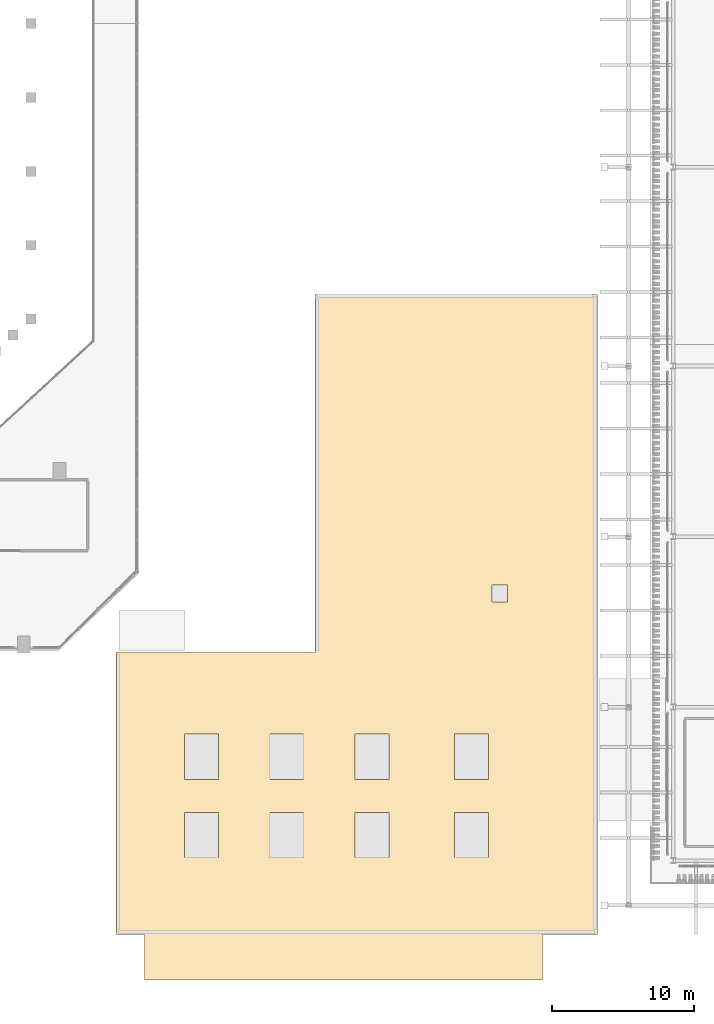
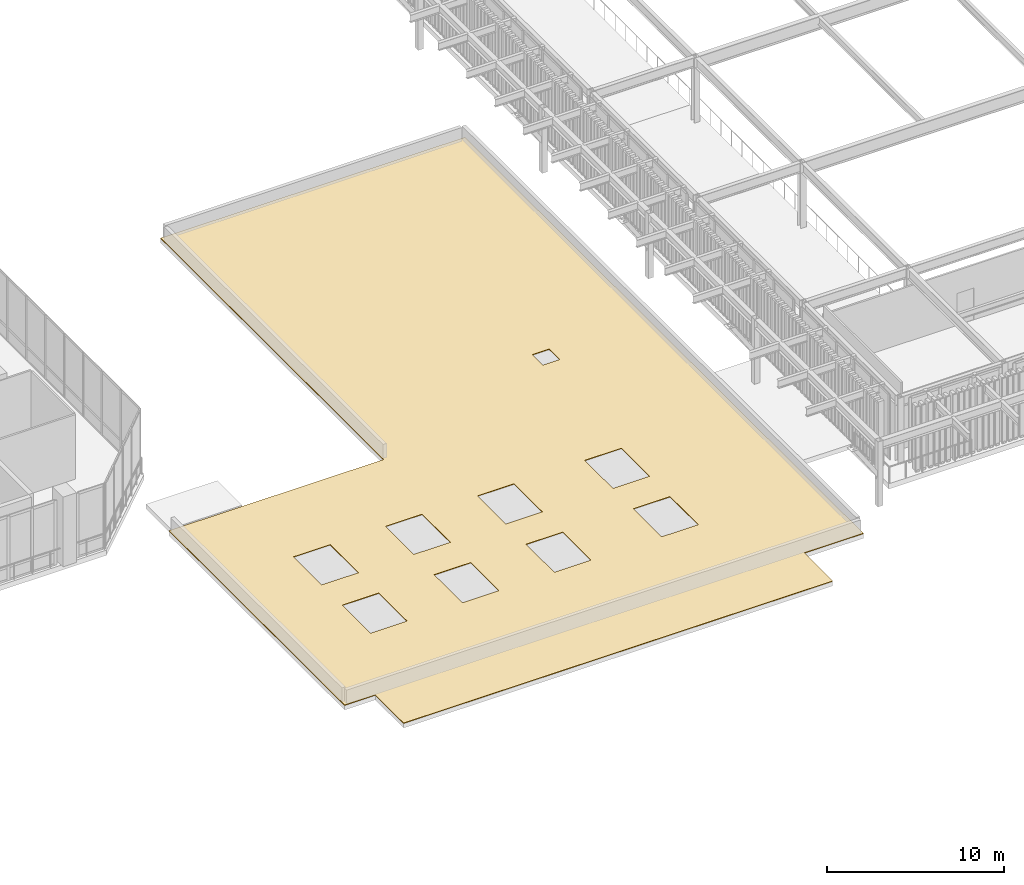
# One storey, part 113 of 126: 1 covering, 1 element without a shape of its own.
"""IFC4 building model written with IfcOpenShell, lengths in metres."""

import ifcopenshell
import ifcopenshell.guid

model = None  # the IFC model being written
_history = None  # IfcOwnerHistory: only IFC2X3 demands one
_inside = {}  # id of a spatial element -> (the spatial element, [elements in it])
_under = {}  # id of a project, library or spatial element -> (it, [spatial elements below it])
_declared = {}  # id of a project -> (the project, [libraries it declares])
_typed = {}  # id of a type object -> (the type object, [elements of that type])
_made_of = {}  # id of a material, layer set ... -> (it, [elements and type objects made of it])


def new_model(schema):
    """Start an empty IFC model of exactly this schema.

    Asked for "IFC4X3", IfcOpenShell would pick the latest addendum, in which some entities
    have other attributes; the version numbers below select the first issue.
    IFC2X3 requires an IfcOwnerHistory on every rooted entity: one is made here for all.
    """
    global model, _history
    if schema == "IFC4X3":
        model = ifcopenshell.file(schema_version=(4, 3, 0, 0))
    else:
        model = ifcopenshell.file(schema=schema)
    _inside.clear()
    _under.clear()
    _declared.clear()
    _typed.clear()
    _made_of.clear()
    _history = None
    if model.schema == "IFC2X3":
        org = make("IfcOrganization", Name="unknown")
        user = make(
            "IfcPersonAndOrganization",
            ThePerson=make("IfcPerson", FamilyName="unknown"),
            TheOrganization=org,
        )
        app = make(
            "IfcApplication",
            ApplicationDeveloper=org,
            Version="unknown",
            ApplicationFullName="unknown",
            ApplicationIdentifier="unknown",
        )
        _history = make(
            "IfcOwnerHistory",
            OwningUser=user,
            OwningApplication=app,
            ChangeAction="ADDED",
            CreationDate=0,
        )
    return model


def make(cls, **values):
    """One entity of the class cls with the attributes given. An attribute that is None is left unset."""
    return model.create_entity(
        cls, **{name: value for name, value in values.items() if value is not None}
    )


def rooted(cls, **values):
    """An entity with a GlobalId (a new one), such as an element, a storey or a relation."""
    return make(cls, GlobalId=ifcopenshell.guid.new(), OwnerHistory=_history, **values)


def si_unit(unit_type, name, prefix=None):
    """IfcSIUnit, for example si_unit("LENGTHUNIT", "METRE", prefix="MILLI")."""
    return make("IfcSIUnit", UnitType=unit_type, Prefix=prefix, Name=name)


def derived_unit(unit_type, elements):
    """IfcDerivedUnit: a product of units, each with its exponent."""
    return make(
        "IfcDerivedUnit",
        Elements=[
            make("IfcDerivedUnitElement", Unit=unit, Exponent=power)
            for unit, power in elements
        ],
        UnitType=unit_type,
    )


def assignment(units):
    """IfcUnitAssignment: the units of a project."""
    return None if units is None else make("IfcUnitAssignment", Units=units)


def point(xyz):
    """IfcCartesianPoint."""
    return None if xyz is None else make("IfcCartesianPoint", Coordinates=xyz)


def direction(xyz):
    """IfcDirection."""
    return None if xyz is None else make("IfcDirection", DirectionRatios=xyz)


def frame(location, z_axis=None, x_axis=None):
    """IfcAxis2Placement3D, a coordinate frame: its origin and axes. An axis left out is left unset."""
    return make(
        "IfcAxis2Placement3D",
        Location=point(location),
        Axis=direction(z_axis),
        RefDirection=direction(x_axis),
    )


def origin():
    """The frame at (0, 0, 0) with its axes left unset."""
    return frame((0.0, 0.0, 0.0))


def place(relative_to, where):
    """IfcLocalPlacement: puts the frame where relative to a parent placement (None: the world)."""
    return make(
        "IfcLocalPlacement", PlacementRelTo=relative_to, RelativePlacement=where
    )


def context(
    kind, dimensions, precision=None, world=None, true_north=None, identifier=None
):
    """IfcGeometricRepresentationContext, for example the 3D "Model" context."""
    return make(
        "IfcGeometricRepresentationContext",
        ContextIdentifier=identifier,
        ContextType=kind,
        CoordinateSpaceDimension=dimensions,
        Precision=precision,
        WorldCoordinateSystem=world,
        TrueNorth=true_north,
    )


def subcontext(parent, identifier, kind, view, scale=None):
    """IfcGeometricRepresentationSubContext, for example "Body" below "Model"."""
    return make(
        "IfcGeometricRepresentationSubContext",
        ContextIdentifier=identifier,
        ContextType=kind,
        ParentContext=parent,
        TargetScale=scale,
        TargetView=view,
    )


def project(units=None, contexts=None):
    """IfcProject with its units and contexts."""
    return rooted(
        "IfcProject",
        Name="project",
        RepresentationContexts=contexts,
        UnitsInContext=assignment(units),
    )


def spatial(cls, under=None, at=None, **own):
    """A site, building, storey or space (cls), placed at a placement, below another one or the project."""
    s = rooted(cls, ObjectPlacement=at, **own)
    if under is not None:
        _under.setdefault(under.id(), (under, []))[1].append(s)
    return s


def polyline(points):
    """IfcPolyline through the points."""
    return make("IfcPolyline", Points=[point(p) for p in points])


def outline(outer, holes=None, kind="AREA"):
    """IfcArbitraryClosedProfileDef: a profile drawn as a closed curve; with holes, ...WithVoids."""
    if holes is None:
        return make("IfcArbitraryClosedProfileDef", ProfileType=kind, OuterCurve=outer)
    return make(
        "IfcArbitraryProfileDefWithVoids",
        ProfileType=kind,
        OuterCurve=outer,
        InnerCurves=holes,
    )


def extrude(swept, where, along, depth):
    """IfcExtrudedAreaSolid: the profile swept, set in the frame where, extruded along a direction by depth."""
    return make(
        "IfcExtrudedAreaSolid",
        SweptArea=swept,
        Position=where,
        ExtrudedDirection=direction(along),
        Depth=depth,
    )


def shape(context_of_items, identifier, shape_type, items):
    """IfcShapeRepresentation: the items that make up one representation, for example the "Body"."""
    return make(
        "IfcShapeRepresentation",
        ContextOfItems=context_of_items,
        RepresentationIdentifier=identifier,
        RepresentationType=shape_type,
        Items=items,
    )


def material(Name=None, Category=None):
    """IfcMaterial."""
    return make("IfcMaterial", Name=Name, Category=Category)


def layer(
    of_material, thickness, ventilated=None, Name=None, Category=None, Priority=None
):
    """IfcMaterialLayer: one layer of a wall or slab, of a material (None: an air gap)."""
    return make(
        "IfcMaterialLayer",
        Material=of_material,
        LayerThickness=thickness,
        IsVentilated=ventilated,
        Name=Name,
        Category=Category,
        Priority=Priority,
    )


def layer_set(layers, Name=None):
    """IfcMaterialLayerSet."""
    return make("IfcMaterialLayerSet", MaterialLayers=layers, LayerSetName=Name)


def made_of(thing, what):
    """Note that an element or type object is made of a material, layer set ...; save() writes the relation."""
    if what is not None:
        _made_of.setdefault(what.id(), (what, []))[1].append(thing)
    return thing


def type_object(cls, material=None, **own):
    """A type object (cls), such as IfcWallType, which elements share."""
    return made_of(rooted(cls, **own), material)


def element(
    cls,
    number,
    at=None,
    inside=None,
    cuts=None,
    type_object=None,
    material=None,
    context=None,
    identifier="Body",
    shape_type=None,
    held_by="IfcProductDefinitionShape",
    body=None,
    shapes=None,
    **own,
):
    """One element of the class cls, such as IfcWall. Its Tag is "e" and its number.

    at: its placement. inside: the storey or other place that contains it. cuts: it is an
    opening in that element (IfcRelVoidsElement). A single representation is given by context,
    identifier, shape_type and body (its items); several are given by shapes. held_by: the class
    of the entity that holds the representations. save() writes the other relations.
    """
    e = rooted(cls, Tag="e%d" % number, ObjectPlacement=at, **own)
    if body is not None:
        shapes = [shape(context, identifier, shape_type, body)]
    if shapes is not None:
        e.Representation = make(held_by, Representations=shapes)
    if inside is not None:
        _inside.setdefault(inside.id(), (inside, []))[1].append(e)
    if cuts is not None:
        rooted(
            "IfcRelVoidsElement", RelatingBuildingElement=cuts, RelatedOpeningElement=e
        )
    if type_object is not None:
        _typed.setdefault(type_object.id(), (type_object, []))[1].append(e)
    return made_of(e, material)


def aggregate(whole, parts):
    """IfcRelAggregates: a whole, such as a stair, and the parts it consists of."""
    return rooted("IfcRelAggregates", RelatingObject=whole, RelatedObjects=parts)


def save(model, path):
    """Write the relations noted so far, then the file.

    IfcRelAggregates (storeys below a building ...), IfcRelContainedInSpatialStructure (elements
    in a storey), IfcRelDefinesByType, IfcRelAssociatesMaterial and IfcRelDeclares: one each for
    every whole, place, type object, material and project.
    """
    for whole, parts in _under.values():
        aggregate(whole, parts)
    for where, things in _inside.values():
        rooted(
            "IfcRelContainedInSpatialStructure",
            RelatedElements=things,
            RelatingStructure=where,
        )
    for kind, things in _typed.values():
        rooted("IfcRelDefinesByType", RelatedObjects=things, RelatingType=kind)
    for what, things in _made_of.values():
        rooted("IfcRelAssociatesMaterial", RelatedObjects=things, RelatingMaterial=what)
    for by, libraries in _declared.values():
        rooted("IfcRelDeclares", RelatingContext=by, RelatedDefinitions=libraries)
    model.write(path)


model = new_model("IFC4")

# Units and contexts
model_context = context("Model", 3, precision=1e-05, world=origin(), true_north=direction((0.0, 1.0)))
body_context = subcontext(model_context, "Body", "Model", "MODEL_VIEW")
ifc_project = project(units=[si_unit("LENGTHUNIT", "METRE"), si_unit("AREAUNIT", "SQUARE_METRE"), si_unit("VOLUMEUNIT", "CUBIC_METRE"), si_unit("PLANEANGLEUNIT", "RADIAN"), si_unit("MASSUNIT", "GRAM", prefix="KILO"), derived_unit("THERMALTRANSMITTANCEUNIT", [(si_unit("MASSUNIT", "GRAM", prefix="KILO"), 1), (si_unit("TIMEUNIT", "SECOND"), -3), (si_unit("THERMODYNAMICTEMPERATUREUNIT", "KELVIN"), -1)])], contexts=[model_context])

# Site, building, storey
site_placement = place(None, origin())
site = spatial("IfcSite", under=ifc_project, at=site_placement, CompositionType="ELEMENT")
building_placement = place(site_placement, origin())
building = spatial("IfcBuilding", under=site, at=building_placement, Name="Valcora Ridge Arena", CompositionType="ELEMENT")
storey_placement = place(building_placement, frame((0.0, 0.0, 11.39990234375)))
storey = spatial("IfcBuildingStorey", under=building, at=storey_placement, Name="L02", CompositionType="ELEMENT", Elevation=11.39990234375)

# Roof, covering
ifc_material = material(Name="Weathered zinc-bronze standing-seam metal Grade Z275")
roof_type = type_object("IfcRoofType", Name="TY-ROOF-ROOF-SYS-V3", PredefinedType="FLAT_ROOF", material=ifc_material)
roof_placement = place(storey_placement, origin())
roof = element("IfcRoof", 1, at=roof_placement, inside=storey, type_object=roof_type, Name="ROOF-SYS-V3 ROF-0003", PredefinedType="FLAT_ROOF")
ifc_layer = layer(ifc_material, 0.0400390625, Name="Weathered zinc-bronze standing-seam metal Grade Z275")
ifc_layer_set = layer_set([ifc_layer], Name="Weathered zinc-bronze standing-seam metal Grade Z275")
covering_type = type_object("IfcCoveringType", Name="TY-COVERING-COV-ZINC-V3", PredefinedType="ROOFING", material=ifc_layer_set)
covering_placement = place(storey_placement, origin())
covering = element("IfcCovering", 2, at=covering_placement, type_object=covering_type, Name="COV-ZINC-V3 COV-RF-0100", PredefinedType="ROOFING", context=body_context, shape_type="SweptSolid", body=[
    extrude(outline(polyline([(128.0, -3.199951171875), (128.0, 0.0), (131.85009765625, 0.0), (131.85009765625, 45.050048828125), (112.0, 45.050048828125), (112.0, 19.85009765625), (98.0, 19.85009765625), (98.0, 0.0), (100.0, 0.0), (100.0, -3.199951171875), (128.0, -3.199951171875)]), holes=[polyline([(102.804931640625, 8.594970703125), (102.804931640625, 5.405029296875), (105.195068359375, 5.405029296875), (105.195068359375, 8.594970703125), (102.804931640625, 8.594970703125)]), polyline([(108.804931640625, 8.594970703125), (108.804931640625, 5.405029296875), (111.195068359375, 5.405029296875), (111.195068359375, 8.594970703125), (108.804931640625, 8.594970703125)]), polyline([(114.804931640625, 8.594970703125), (114.804931640625, 5.405029296875), (117.195068359375, 5.405029296875), (117.195068359375, 8.594970703125), (114.804931640625, 8.594970703125)]), polyline([(121.804931640625, 8.594970703125), (121.804931640625, 5.405029296875), (124.195068359375, 5.405029296875), (124.195068359375, 8.594970703125), (121.804931640625, 8.594970703125)]), polyline([(102.804931640625, 14.094970703125), (102.804931640625, 10.905029296875), (105.195068359375, 10.905029296875), (105.195068359375, 14.094970703125), (102.804931640625, 14.094970703125)]), polyline([(108.804931640625, 14.094970703125), (108.804931640625, 10.905029296875), (111.195068359375, 10.905029296875), (111.195068359375, 14.094970703125), (108.804931640625, 14.094970703125)]), polyline([(114.804931640625, 14.094970703125), (114.804931640625, 10.905029296875), (117.195068359375, 10.905029296875), (117.195068359375, 14.094970703125), (114.804931640625, 14.094970703125)]), polyline([(124.195068359375, 14.094970703125), (121.804931640625, 14.094970703125), (121.804931640625, 10.905029296875), (124.195068359375, 10.905029296875), (124.195068359375, 14.094970703125)]), polyline([(125.544921875, 24.594970703125), (124.455078125, 24.594970703125), (124.455078125, 23.405029296875), (125.544921875, 23.405029296875), (125.544921875, 24.594970703125)])]), origin(), (0.0, 0.0, 1.0), 0.0400390625),
])
aggregate(roof, [covering])

save(model, "model.ifc")
